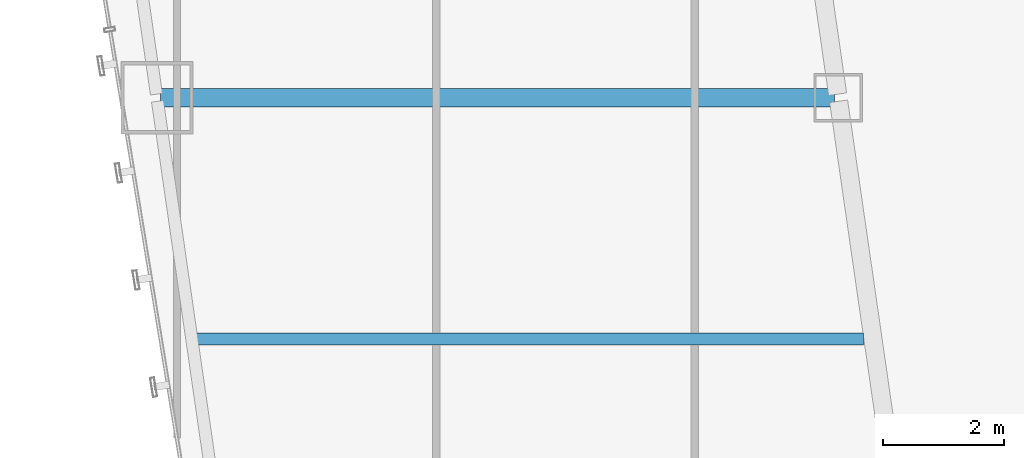
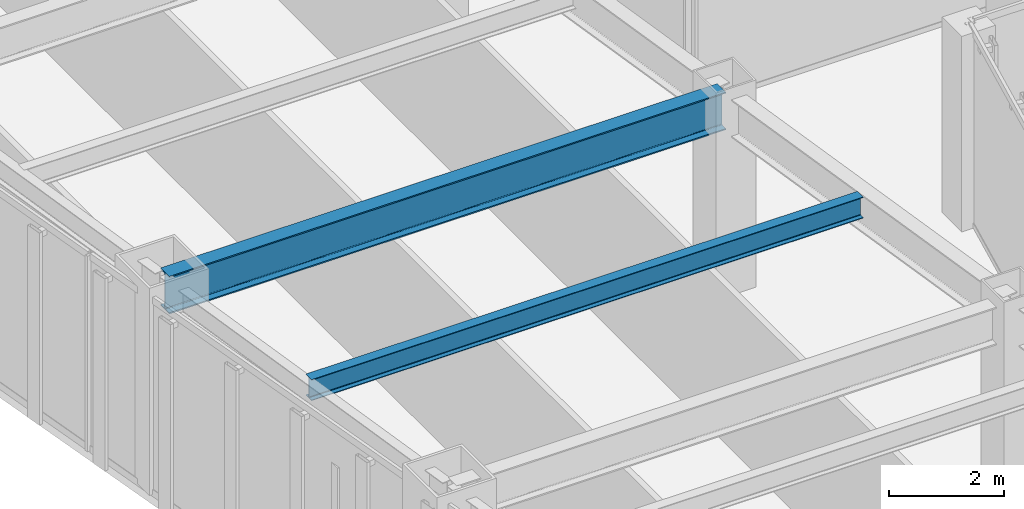
# One storey, part 6 of 47: 2 beams.
"""IFC4 building model written with IfcOpenShell, lengths in metres."""

from ifc_helpers import new_model, si_unit, direction, frame, origin, origin_2d, place, context, subcontext, project, spatial, i_section, extrude, material, material_profile, profile_set, type_object, element, save


model = new_model("IFC4")

# Units and contexts
model_context = context("Model", 3, precision=1e-05, world=origin(), true_north=direction((0.0, 1.0)))
body_context = subcontext(model_context, "Body", "Model", "MODEL_VIEW")
ifc_project = project(units=[si_unit("LENGTHUNIT", "METRE"), si_unit("AREAUNIT", "SQUARE_METRE"), si_unit("VOLUMEUNIT", "CUBIC_METRE"), si_unit("PLANEANGLEUNIT", "RADIAN"), si_unit("MASSUNIT", "GRAM", prefix="KILO")], contexts=[model_context])

# Site, building, storey
site_placement = place(None, origin())
site = spatial("IfcSite", under=ifc_project, at=site_placement, CompositionType="ELEMENT")
building_placement = place(site_placement, origin())
building = spatial("IfcBuilding", under=site, at=building_placement, Name="Saevonmaru Cultural Tower", CompositionType="ELEMENT")
storey_placement = place(building_placement, frame((0.0, 0.0, 78.0)))
storey = spatial("IfcBuildingStorey", under=building, at=storey_placement, Name="L16", CompositionType="ELEMENT", Elevation=78.0)

# Beams
ifc_material_1 = material(Name="Steel SM420", Category="steel")
ifc_material_profile_1 = material_profile(ifc_material_1, i_section(OverallWidth=0.300048828125, OverallDepth=0.800048828125, WebThickness=0.013916015625, FlangeThickness=0.02587890625, FilletRadius=0.028076171875, at=origin_2d()), Name="H-800x300x14x26")
ifc_profile_set_1 = profile_set([ifc_material_profile_1], Name="Steel SM420")
beam_type_1 = type_object("IfcBeamType", Name="BM-G-H800", PredefinedType="BEAM", material=ifc_profile_set_1)
beam_1_placement = place(storey_placement, frame((10.68798828125, 16.0, 3.75), z_axis=(1.0, 0.0, 0.0), x_axis=(0.0, 1.0, 0.0)))
element("IfcBeam", 1, at=beam_1_placement, inside=storey, type_object=beam_type_1, Name="L16 West Wing Transverse Girder 3", PredefinedType="BEAM", context=body_context, shape_type="SweptSolid", body=[
    extrude(i_section(OverallWidth=0.300048828125, OverallDepth=0.800048828125, WebThickness=0.013916015625, FlangeThickness=0.02587890625, FilletRadius=0.028076171875, at=origin_2d()), origin(), (0.0, 0.0, 1.0), 11.179931640625),
])
ifc_material_2 = material(Name="Steel SM355", Category="steel")
ifc_material_profile_2 = material_profile(ifc_material_2, i_section(OverallWidth=0.199951171875, OverallDepth=0.449951171875, WebThickness=0.009033203125, FlangeThickness=0.013916015625, FilletRadius=0.01806640625, at=origin_2d()), Name="H-450x200x9x14")
ifc_profile_set_2 = profile_set([ifc_material_profile_2], Name="Steel SM355")
beam_type_2 = type_object("IfcBeamType", Name="BM-J-H450", PredefinedType="JOIST", material=ifc_profile_set_2)
beam_2_placement = place(storey_placement, frame((11.265380859375, 12.0, 3.925048828125), z_axis=(1.0, 0.0, 0.0), x_axis=(0.0, 1.0, 0.0)))
element("IfcBeam", 2, at=beam_2_placement, inside=storey, type_object=beam_type_2, Name="L16 West Wing Floor Joist 2", PredefinedType="JOIST", context=body_context, shape_type="SweptSolid", body=[
    extrude(i_section(OverallWidth=0.199951171875, OverallDepth=0.449951171875, WebThickness=0.009033203125, FlangeThickness=0.013916015625, FilletRadius=0.01806640625, at=origin_2d()), origin(), (0.0, 0.0, 1.0), 11.08203125),
])

save(model, "model.ifc")
